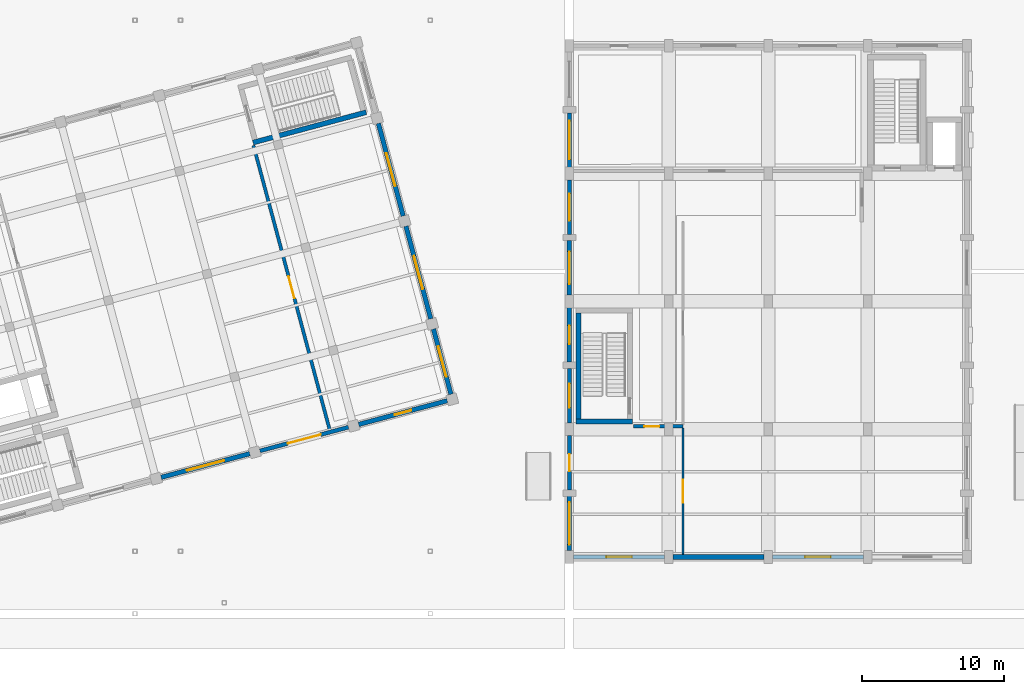
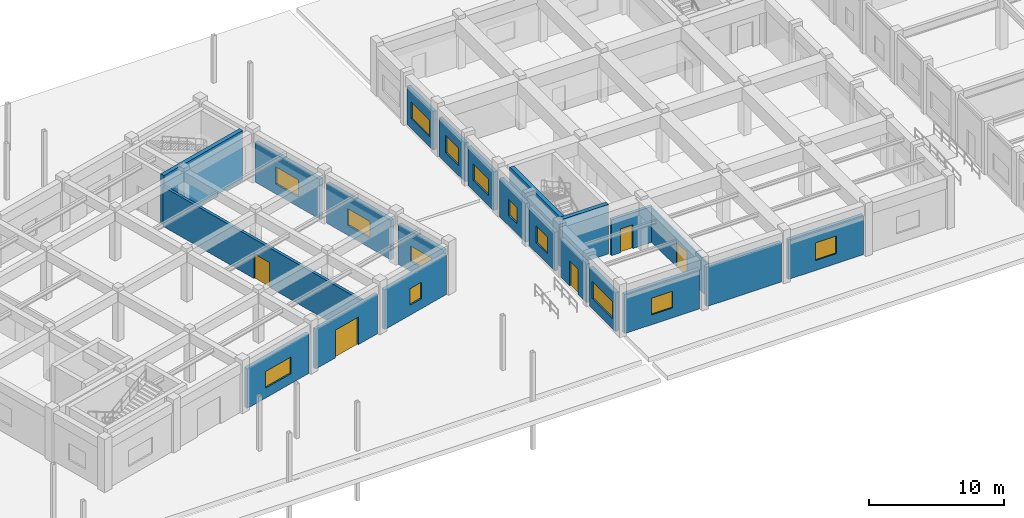
# One storey, part 36 of 47: 22 walls, 13 windows, 5 doors, 18 openings.
"""IFC4 building model written with IfcOpenShell, lengths in metres."""

from ifc_helpers import new_model, si_unit, direction, frame, frame_2d, origin, place, context, subcontext, project, spatial, rectangle, extrude, material, layer, layer_set, type_object, element, fill, save


model = new_model("IFC4")

# Units and contexts
model_context = context("Model", 3, precision=1e-05, world=origin(), true_north=direction((0.0, 1.0)))
body_context = subcontext(model_context, "Body", "Model", "MODEL_VIEW")
ifc_project = project(units=[si_unit("LENGTHUNIT", "METRE"), si_unit("AREAUNIT", "SQUARE_METRE"), si_unit("VOLUMEUNIT", "CUBIC_METRE"), si_unit("PLANEANGLEUNIT", "RADIAN"), si_unit("MASSUNIT", "GRAM", prefix="KILO")], contexts=[model_context])

# Site, building, storey
site_placement = place(None, origin())
site = spatial("IfcSite", under=ifc_project, at=site_placement, CompositionType="ELEMENT")
building_placement = place(site_placement, origin())
building = spatial("IfcBuilding", under=site, at=building_placement, Name="Ventoquebrada Cableway Terminal", CompositionType="ELEMENT")
storey_placement = place(building_placement, origin())
storey = spatial("IfcBuildingStorey", under=building, at=storey_placement, Name="L00", CompositionType="ELEMENT", Elevation=0.0)

# Wall, opening, window
ifc_material_1 = material(Name="Precast architectural concrete C40/50", Category="concrete")
ifc_layer_1 = layer(ifc_material_1, 0.280029296875)
ifc_layer_set_1 = layer_set([ifc_layer_1], Name="Precast architectural concrete C40/50")
wall_type_1 = type_object("IfcWallType", Name="WL-EX1", PredefinedType="SOLIDWALL", material=ifc_layer_set_1)
wall_1_placement = place(storey_placement, frame((95.294921875, 68.0, 0.0), z_axis=(0.0, 0.0, 1.0), x_axis=(1.0, 0.0, 0.0)))
wall_1 = element("IfcWall", 1, at=wall_1_placement, inside=storey, type_object=wall_type_1, Name="Exterior architectural wall EW-0179", PredefinedType="SOLIDWALL", context=body_context, shape_type="SweptSolid", body=[
    extrude(rectangle(XDim=6.41015625, YDim=0.280029296875, at=frame_2d((3.205078125, 0.0))), origin(), (0.0, 0.0, 1.0), 3.574951171875),
])
opening_1_placement = place(wall_1_placement, frame((2.304931640625, 0.0, 0.89990234375)))
opening_1 = element("IfcOpeningElement", 2, at=opening_1_placement, cuts=wall_1, Name="Opening WN-085", PredefinedType="OPENING", context=body_context, shape_type="SweptSolid", body=[
    extrude(rectangle(XDim=1.800048828125, YDim=1.5, at=frame_2d((0.89990234375, 0.75))), frame((0.0, 0.14990234375, 0.0), z_axis=(0.0, -1.0, 0.0), x_axis=(1.0, 0.0, 0.0)), (0.0, 0.0, 1.0), 0.300048828125),
])
ifc_material_2 = material(Name="Double low-e laminated safety glazing", Category="glass")
window_type_1 = type_object("IfcWindowType", Name="WT-05", PartitioningType="SINGLE_PANEL", PredefinedType="WINDOW", material=ifc_material_2)
window_1_placement = place(opening_1_placement, origin())
window_1 = element("IfcWindow", 3, at=window_1_placement, inside=storey, type_object=window_type_1, Name="Architectural punched window WN-085", OverallHeight=1.5, OverallWidth=1.800048828125, PartitioningType="SINGLE_PANEL", PredefinedType="WINDOW", context=body_context, shape_type="SweptSolid", body=[
    extrude(rectangle(XDim=1.800048828125, YDim=1.5, at=frame_2d((0.89990234375, 0.75))), frame((0.0, 0.030029296875, 0.0), z_axis=(0.0, -1.0, 0.0), x_axis=(1.0, 0.0, 0.0)), (0.0, 0.0, 1.0), 0.06005859375),
])
fill(opening_1, window_1)

wall_2_placement = place(storey_placement, frame((109.294921875, 68.0, 0.0), z_axis=(0.0, 0.0, 1.0), x_axis=(1.0, 0.0, 0.0)))
wall_2 = element("IfcWall", 4, at=wall_2_placement, inside=storey, type_object=wall_type_1, Name="Exterior architectural wall EW-0181", PredefinedType="SOLIDWALL", context=body_context, shape_type="SweptSolid", body=[
    extrude(rectangle(XDim=6.41015625, YDim=0.280029296875, at=frame_2d((3.205078125, 0.0))), origin(), (0.0, 0.0, 1.0), 3.574951171875),
])
opening_2_placement = place(wall_2_placement, frame((2.304931640625, 0.0, 0.89990234375)))
opening_2 = element("IfcOpeningElement", 5, at=opening_2_placement, cuts=wall_2, Name="Opening WN-086", PredefinedType="OPENING", context=body_context, shape_type="SweptSolid", body=[
    extrude(rectangle(XDim=1.800048828125, YDim=1.60009765625, at=frame_2d((0.89990234375, 0.800048828125))), frame((0.0, 0.14990234375, 0.0), z_axis=(0.0, -1.0, 0.0), x_axis=(1.0, 0.0, 0.0)), (0.0, 0.0, 1.0), 0.300048828125),
])
window_type_2 = type_object("IfcWindowType", Name="WT-06", PartitioningType="SINGLE_PANEL", PredefinedType="WINDOW", material=ifc_material_2)
window_2_placement = place(opening_2_placement, origin())
window_2 = element("IfcWindow", 6, at=window_2_placement, inside=storey, type_object=window_type_2, Name="Architectural punched window WN-086", OverallHeight=1.60009765625, OverallWidth=1.800048828125, PartitioningType="SINGLE_PANEL", PredefinedType="WINDOW", context=body_context, shape_type="SweptSolid", body=[
    extrude(rectangle(XDim=1.800048828125, YDim=1.60009765625, at=frame_2d((0.89990234375, 0.800048828125))), frame((0.0, 0.030029296875, 0.0), z_axis=(0.0, -1.0, 0.0), x_axis=(1.0, 0.0, 0.0)), (0.0, 0.0, 1.0), 0.06005859375),
])
fill(opening_2, window_2)

# Wall, opening, door
wall_3_placement = place(storey_placement, frame((95.0, 76.554931640625, 0.0), z_axis=(0.0, 0.0, 1.0), x_axis=(0.0, -1.0, 0.0)))
wall_3 = element("IfcWall", 7, at=wall_3_placement, inside=storey, type_object=wall_type_1, Name="Exterior architectural wall EW-0195", PredefinedType="SOLIDWALL", context=body_context, shape_type="SweptSolid", body=[
    extrude(rectangle(XDim=3.8349609375, YDim=0.280029296875, at=frame_2d((1.91748046875, 0.0))), origin(), (0.0, 0.0, 1.0), 3.4951171875),
])
opening_3_placement = place(wall_3_placement, frame((1.318115234375, 0.0, 0.0)))
opening_3 = element("IfcOpeningElement", 8, at=opening_3_placement, cuts=wall_3, Name="Opening D-EX-16", PredefinedType="OPENING", context=body_context, shape_type="SweptSolid", body=[
    extrude(rectangle(XDim=1.199951171875, YDim=2.25, at=frame_2d((0.60009765625, 1.125))), frame((0.0, 0.14990234375, 0.0), z_axis=(0.0, -1.0, 0.0), x_axis=(1.0, 0.0, 0.0)), (0.0, 0.0, 1.0), 0.300048828125),
])
ifc_material_3 = material(Name="Galvanized acoustic steel door assembly", Category="steel")
door_type_1 = type_object("IfcDoorType", Name="DT-EX05", OperationType="SINGLE_SWING_RIGHT", PredefinedType="DOOR", material=ifc_material_3)
door_1_placement = place(opening_3_placement, origin())
door_1 = element("IfcDoor", 9, at=door_1_placement, inside=storey, type_object=door_type_1, Name="Exterior d-ex door D-EX-16", OperationType="SINGLE_SWING_LEFT", OverallHeight=2.25, OverallWidth=1.199951171875, PredefinedType="DOOR", context=body_context, shape_type="SweptSolid", body=[
    extrude(rectangle(XDim=1.199951171875, YDim=2.25, at=frame_2d((0.60009765625, 1.125))), frame((0.0, 0.02490234375, 0.0), z_axis=(0.0, -1.0, 0.0), x_axis=(1.0, 0.0, 0.0)), (0.0, 0.0, 1.0), 0.050048828125),
])
fill(opening_3, door_1)

# Wall, opening, window
wall_4_placement = place(storey_placement, frame((95.0, 81.280029296875, 0.0), z_axis=(0.0, 0.0, 1.0), x_axis=(0.0, -1.0, 0.0)))
wall_4 = element("IfcWall", 10, at=wall_4_placement, inside=storey, type_object=wall_type_1, Name="Exterior architectural wall EW-0198", PredefinedType="SOLIDWALL", context=body_context, shape_type="SweptSolid", body=[
    extrude(rectangle(XDim=3.8349609375, YDim=0.280029296875, at=frame_2d((1.91748046875, 0.0))), origin(), (0.0, 0.0, 1.0), 3.4951171875),
])
opening_4_placement = place(wall_4_placement, frame((1.068115234375, 0.0, 0.89990234375)))
opening_4 = element("IfcOpeningElement", 11, at=opening_4_placement, cuts=wall_4, Name="Opening WN-096", PredefinedType="OPENING", context=body_context, shape_type="SweptSolid", body=[
    extrude(rectangle(XDim=1.699951171875, YDim=1.5, at=frame_2d((0.85009765625, 0.75))), frame((0.0, 0.14990234375, 0.0), z_axis=(0.0, -1.0, 0.0), x_axis=(1.0, 0.0, 0.0)), (0.0, 0.0, 1.0), 0.300048828125),
])
window_type_3 = type_object("IfcWindowType", Name="WT-16", PartitioningType="SINGLE_PANEL", PredefinedType="WINDOW", material=ifc_material_2)
window_3_placement = place(opening_4_placement, origin())
window_3 = element("IfcWindow", 12, at=window_3_placement, inside=storey, type_object=window_type_3, Name="Architectural punched window WN-096", OverallHeight=1.5, OverallWidth=1.699951171875, PartitioningType="SINGLE_PANEL", PredefinedType="WINDOW", context=body_context, shape_type="SweptSolid", body=[
    extrude(rectangle(XDim=1.699951171875, YDim=1.5, at=frame_2d((0.85009765625, 0.75))), frame((0.0, 0.030029296875, 0.0), z_axis=(0.0, -1.0, 0.0), x_axis=(1.0, 0.0, 0.0)), (0.0, 0.0, 1.0), 0.06005859375),
])
fill(opening_4, window_3)

wall_5_placement = place(storey_placement, frame((95.0, 94.554931640625, 0.0), z_axis=(0.0, 0.0, 1.0), x_axis=(0.0, -1.0, 0.0)))
wall_5 = element("IfcWall", 13, at=wall_5_placement, inside=storey, type_object=wall_type_1, Name="Exterior architectural wall EW-0199", PredefinedType="SOLIDWALL", context=body_context, shape_type="SweptSolid", body=[
    extrude(rectangle(XDim=3.8349609375, YDim=0.280029296875, at=frame_2d((1.91748046875, 0.0))), origin(), (0.0, 0.0, 1.0), 3.4951171875),
])
opening_5_placement = place(wall_5_placement, frame((0.968017578125, 0.0, 0.89990234375)))
opening_5 = element("IfcOpeningElement", 14, at=opening_5_placement, cuts=wall_5, Name="Opening WN-097", PredefinedType="OPENING", context=body_context, shape_type="SweptSolid", body=[
    extrude(rectangle(XDim=1.89990234375, YDim=1.550048828125, at=frame_2d((0.949951171875, 0.77490234375))), frame((0.0, 0.14990234375, 0.0), z_axis=(0.0, -1.0, 0.0), x_axis=(1.0, 0.0, 0.0)), (0.0, 0.0, 1.0), 0.300048828125),
])
window_type_4 = type_object("IfcWindowType", Name="WT-17", PartitioningType="SINGLE_PANEL", PredefinedType="WINDOW", material=ifc_material_2)
window_4_placement = place(opening_5_placement, origin())
window_4 = element("IfcWindow", 15, at=window_4_placement, inside=storey, type_object=window_type_4, Name="Architectural punched window WN-097", OverallHeight=1.550048828125, OverallWidth=1.89990234375, PartitioningType="SINGLE_PANEL", PredefinedType="WINDOW", context=body_context, shape_type="SweptSolid", body=[
    extrude(rectangle(XDim=1.89990234375, YDim=1.550048828125, at=frame_2d((0.949951171875, 0.77490234375))), frame((0.0, 0.030029296875, 0.0), z_axis=(0.0, -1.0, 0.0), x_axis=(1.0, 0.0, 0.0)), (0.0, 0.0, 1.0), 0.06005859375),
])
fill(opening_5, window_4)

wall_6_placement = place(storey_placement, frame((95.0, 99.280029296875, 0.0), z_axis=(0.0, 0.0, 1.0), x_axis=(0.0, -1.0, 0.0)))
wall_6 = element("IfcWall", 16, at=wall_6_placement, inside=storey, type_object=wall_type_1, Name="Exterior architectural wall EW-0202", PredefinedType="SOLIDWALL", context=body_context, shape_type="SweptSolid", body=[
    extrude(rectangle(XDim=3.8349609375, YDim=0.280029296875, at=frame_2d((1.91748046875, 0.0))), origin(), (0.0, 0.0, 1.0), 3.4951171875),
])
opening_6_placement = place(wall_6_placement, frame((0.568115234375, 0.0, 0.89990234375)))
opening_6 = element("IfcOpeningElement", 17, at=opening_6_placement, cuts=wall_6, Name="Opening WN-100", PredefinedType="OPENING", context=body_context, shape_type="SweptSolid", body=[
    extrude(rectangle(XDim=2.699951171875, YDim=1.5, at=frame_2d((1.35009765625, 0.75))), frame((0.0, 0.14990234375, 0.0), z_axis=(0.0, -1.0, 0.0), x_axis=(1.0, 0.0, 0.0)), (0.0, 0.0, 1.0), 0.300048828125),
])
window_type_5 = type_object("IfcWindowType", Name="WT-20", PartitioningType="SINGLE_PANEL", PredefinedType="WINDOW", material=ifc_material_2)
window_5_placement = place(opening_6_placement, origin())
window_5 = element("IfcWindow", 18, at=window_5_placement, inside=storey, type_object=window_type_5, Name="Architectural punched window WN-100", OverallHeight=1.5, OverallWidth=2.699951171875, PartitioningType="SINGLE_PANEL", PredefinedType="WINDOW", context=body_context, shape_type="SweptSolid", body=[
    extrude(rectangle(XDim=2.699951171875, YDim=1.5, at=frame_2d((1.35009765625, 0.75))), frame((0.0, 0.030029296875, 0.0), z_axis=(0.0, -1.0, 0.0), x_axis=(1.0, 0.0, 0.0)), (0.0, 0.0, 1.0), 0.06005859375),
])
fill(opening_6, window_5)

# Wall, opening, door
wall_7_placement = place(storey_placement, frame((73.198974609375, 75.470947265625, 0.0), z_axis=(0.0, 0.0, 1.0), x_axis=(0.965969128956, 0.258657383238, 0.0)))
wall_7 = element("IfcWall", 19, at=wall_7_placement, inside=storey, type_object=wall_type_1, Name="Exterior architectural wall EW-0286", PredefinedType="SOLIDWALL", context=body_context, shape_type="SweptSolid", body=[
    extrude(rectangle(XDim=6.4609375, YDim=0.280029296875, at=frame_2d((3.23046875, 0.0))), origin(), (0.0, 0.0, 1.0), 3.594970703125),
])
opening_7_placement = place(wall_7_placement, frame((2.030029296875, 0.0, 0.0)))
opening_7 = element("IfcOpeningElement", 20, at=opening_7_placement, cuts=wall_7, Name="Opening D-EN-22", PredefinedType="OPENING", context=body_context, shape_type="SweptSolid", body=[
    extrude(rectangle(XDim=2.39990234375, YDim=2.5, at=frame_2d((1.199951171875, 1.25))), frame((0.0, 0.14990234375, 0.0), z_axis=(0.0, -1.0, 0.0), x_axis=(1.0, 0.0, 0.0)), (0.0, 0.0, 1.0), 0.300048828125),
])
door_type_2 = type_object("IfcDoorType", Name="DT-EX02", OperationType="DOUBLE_SWING_RIGHT", PredefinedType="DOOR", material=ifc_material_3)
door_2_placement = place(opening_7_placement, origin())
door_2 = element("IfcDoor", 21, at=door_2_placement, inside=storey, type_object=door_type_2, Name="Exterior d-en door D-EN-22", OperationType="DOUBLE_SWING_LEFT", OverallHeight=2.5, OverallWidth=2.39990234375, PredefinedType="DOOR", context=body_context, shape_type="SweptSolid", body=[
    extrude(rectangle(XDim=2.39990234375, YDim=2.5, at=frame_2d((1.199951171875, 1.25))), frame((0.0, 0.02490234375, 0.0), z_axis=(0.0, -1.0, 0.0), x_axis=(1.0, 0.0, 0.0)), (0.0, 0.0, 1.0), 0.050048828125),
])
fill(opening_7, door_2)

# Wall
ifc_layer_2 = layer(ifc_material_1, 0.320068359375)
ifc_layer_set_2 = layer_set([ifc_layer_2], Name="Precast architectural concrete C40/50")
wall_type_2 = type_object("IfcWallType", Name="WL-EX2", PredefinedType="SOLIDWALL", material=ifc_layer_set_2)
wall_8_placement = place(storey_placement, frame((102.294921875, 68.0, 0.0), z_axis=(0.0, 0.0, 1.0), x_axis=(1.0, 0.0, 0.0)))
element("IfcWall", 22, at=wall_8_placement, inside=storey, type_object=wall_type_2, Name="Exterior architectural wall EW-0180", PredefinedType="SOLIDWALL", context=body_context, shape_type="SweptSolid", body=[
    extrude(rectangle(XDim=6.41015625, YDim=0.320068359375, at=frame_2d((3.205078125, 0.0))), origin(), (0.0, 0.0, 1.0), 3.574951171875),
])

# Wall, opening, window
wall_9_placement = place(storey_placement, frame((95.0, 72.280029296875, 0.0), z_axis=(0.0, 0.0, 1.0), x_axis=(0.0, -1.0, 0.0)))
wall_9 = element("IfcWall", 23, at=wall_9_placement, inside=storey, type_object=wall_type_2, Name="Exterior architectural wall EW-0196", PredefinedType="SOLIDWALL", context=body_context, shape_type="SweptSolid", body=[
    extrude(rectangle(XDim=3.8349609375, YDim=0.320068359375, at=frame_2d((1.91748046875, 0.0))), origin(), (0.0, 0.0, 1.0), 3.4951171875),
])
opening_8_placement = place(wall_9_placement, frame((0.41796875, 0.0, 0.89990234375)))
opening_8 = element("IfcOpeningElement", 24, at=opening_8_placement, cuts=wall_9, Name="Opening WN-094", PredefinedType="OPENING", context=body_context, shape_type="SweptSolid", body=[
    extrude(rectangle(XDim=3.0, YDim=1.550048828125, at=frame_2d((1.5, 0.77490234375))), frame((0.0, 0.169921875, 0.0), z_axis=(0.0, -1.0, 0.0), x_axis=(1.0, 0.0, 0.0)), (0.0, 0.0, 1.0), 0.340087890625),
])
window_type_6 = type_object("IfcWindowType", Name="WT-14", PartitioningType="SINGLE_PANEL", PredefinedType="WINDOW", material=ifc_material_2)
window_6_placement = place(opening_8_placement, origin())
window_6 = element("IfcWindow", 25, at=window_6_placement, inside=storey, type_object=window_type_6, Name="Architectural punched window WN-094", OverallHeight=1.550048828125, OverallWidth=3.0, PartitioningType="SINGLE_PANEL", PredefinedType="WINDOW", context=body_context, shape_type="SweptSolid", body=[
    extrude(rectangle(XDim=3.0, YDim=1.550048828125, at=frame_2d((1.5, 0.77490234375))), frame((0.0, 0.030029296875, 0.0), z_axis=(0.0, -1.0, 0.0), x_axis=(1.0, 0.0, 0.0)), (0.0, 0.0, 1.0), 0.06005859375),
])
fill(opening_8, window_6)

wall_10_placement = place(storey_placement, frame((95.0, 85.554931640625, 0.0), z_axis=(0.0, 0.0, 1.0), x_axis=(0.0, -1.0, 0.0)))
wall_10 = element("IfcWall", 26, at=wall_10_placement, inside=storey, type_object=wall_type_2, Name="Exterior architectural wall EW-0197", PredefinedType="SOLIDWALL", context=body_context, shape_type="SweptSolid", body=[
    extrude(rectangle(XDim=3.8349609375, YDim=0.320068359375, at=frame_2d((1.91748046875, 0.0))), origin(), (0.0, 0.0, 1.0), 3.4951171875),
])
opening_9_placement = place(wall_10_placement, frame((1.26806640625, 0.0, 0.89990234375)))
opening_9 = element("IfcOpeningElement", 27, at=opening_9_placement, cuts=wall_10, Name="Opening WN-095", PredefinedType="OPENING", context=body_context, shape_type="SweptSolid", body=[
    extrude(rectangle(XDim=1.300048828125, YDim=1.449951171875, at=frame_2d((0.64990234375, 0.72509765625))), frame((0.0, 0.169921875, 0.0), z_axis=(0.0, -1.0, 0.0), x_axis=(1.0, 0.0, 0.0)), (0.0, 0.0, 1.0), 0.340087890625),
])
window_type_7 = type_object("IfcWindowType", Name="WT-15", PartitioningType="SINGLE_PANEL", PredefinedType="WINDOW", material=ifc_material_2)
window_7_placement = place(opening_9_placement, origin())
window_7 = element("IfcWindow", 28, at=window_7_placement, inside=storey, type_object=window_type_7, Name="Architectural punched window WN-095", OverallHeight=1.449951171875, OverallWidth=1.300048828125, PartitioningType="SINGLE_PANEL", PredefinedType="WINDOW", context=body_context, shape_type="SweptSolid", body=[
    extrude(rectangle(XDim=1.300048828125, YDim=1.449951171875, at=frame_2d((0.64990234375, 0.72509765625))), frame((0.0, 0.030029296875, 0.0), z_axis=(0.0, -1.0, 0.0), x_axis=(1.0, 0.0, 0.0)), (0.0, 0.0, 1.0), 0.06005859375),
])
fill(opening_9, window_7)

wall_11_placement = place(storey_placement, frame((95.0, 90.280029296875, 0.0), z_axis=(0.0, 0.0, 1.0), x_axis=(0.0, -1.0, 0.0)))
wall_11 = element("IfcWall", 29, at=wall_11_placement, inside=storey, type_object=wall_type_2, Name="Exterior architectural wall EW-0200", PredefinedType="SOLIDWALL", context=body_context, shape_type="SweptSolid", body=[
    extrude(rectangle(XDim=3.8349609375, YDim=0.320068359375, at=frame_2d((1.91748046875, 0.0))), origin(), (0.0, 0.0, 1.0), 3.4951171875),
])
opening_10_placement = place(wall_11_placement, frame((0.76806640625, 0.0, 0.89990234375)))
opening_10 = element("IfcOpeningElement", 30, at=opening_10_placement, cuts=wall_11, Name="Opening WN-098", PredefinedType="OPENING", context=body_context, shape_type="SweptSolid", body=[
    extrude(rectangle(XDim=2.300048828125, YDim=1.5, at=frame_2d((1.14990234375, 0.75))), frame((0.0, 0.169921875, 0.0), z_axis=(0.0, -1.0, 0.0), x_axis=(1.0, 0.0, 0.0)), (0.0, 0.0, 1.0), 0.340087890625),
])
window_type_8 = type_object("IfcWindowType", Name="WT-18", PartitioningType="SINGLE_PANEL", PredefinedType="WINDOW", material=ifc_material_2)
window_8_placement = place(opening_10_placement, origin())
window_8 = element("IfcWindow", 31, at=window_8_placement, inside=storey, type_object=window_type_8, Name="Architectural punched window WN-098", OverallHeight=1.5, OverallWidth=2.300048828125, PartitioningType="SINGLE_PANEL", PredefinedType="WINDOW", context=body_context, shape_type="SweptSolid", body=[
    extrude(rectangle(XDim=2.300048828125, YDim=1.5, at=frame_2d((1.14990234375, 0.75))), frame((0.0, 0.030029296875, 0.0), z_axis=(0.0, -1.0, 0.0), x_axis=(1.0, 0.0, 0.0)), (0.0, 0.0, 1.0), 0.06005859375),
])
fill(opening_10, window_8)

wall_12_placement = place(storey_placement, frame((66.243896484375, 73.60693359375, 0.0), z_axis=(0.0, 0.0, 1.0), x_axis=(0.965933884924, 0.258788967996, 0.0)))
wall_12 = element("IfcWall", 32, at=wall_12_placement, inside=storey, type_object=wall_type_2, Name="Exterior architectural wall EW-0285", PredefinedType="SOLIDWALL", context=body_context, shape_type="SweptSolid", body=[
    extrude(rectangle(XDim=6.46142578125, YDim=0.320068359375, at=frame_2d((3.230712890625, 0.0))), origin(), (0.0, 0.0, 1.0), 3.594970703125),
])
opening_11_placement = place(wall_12_placement, frame((1.881103515625, 0.0, 0.89990234375)))
opening_11 = element("IfcOpeningElement", 33, at=opening_11_placement, cuts=wall_12, Name="Opening WN-160", PredefinedType="OPENING", context=body_context, shape_type="SweptSolid", body=[
    extrude(rectangle(XDim=2.699951171875, YDim=1.5, at=frame_2d((1.35009765625, 0.75))), frame((0.0, 0.169921875, 0.0), z_axis=(0.0, -1.0, 0.0), x_axis=(1.0, 0.0, 0.0)), (0.0, 0.0, 1.0), 0.340087890625),
])
window_9_placement = place(opening_11_placement, origin())
window_9 = element("IfcWindow", 34, at=window_9_placement, inside=storey, type_object=window_type_5, Name="Architectural punched window WN-160", OverallHeight=1.5, OverallWidth=2.699951171875, PartitioningType="SINGLE_PANEL", PredefinedType="WINDOW", context=body_context, shape_type="SweptSolid", body=[
    extrude(rectangle(XDim=2.699951171875, YDim=1.5, at=frame_2d((1.35009765625, 0.75))), frame((0.0, 0.030029296875, 0.0), z_axis=(0.0, -1.0, 0.0), x_axis=(1.0, 0.0, 0.0)), (0.0, 0.0, 1.0), 0.06005859375),
])
fill(opening_11, window_9)

wall_13_placement = place(storey_placement, frame((80.154052734375, 77.333984375, 0.0), z_axis=(0.0, 0.0, 1.0), x_axis=(0.96592122885, 0.258836202371, 0.0)))
wall_13 = element("IfcWall", 35, at=wall_13_placement, inside=storey, type_object=wall_type_2, Name="Exterior architectural wall EW-0287", PredefinedType="SOLIDWALL", context=body_context, shape_type="SweptSolid", body=[
    extrude(rectangle(XDim=6.460205078125, YDim=0.320068359375, at=frame_2d((3.22998046875, 0.0))), origin(), (0.0, 0.0, 1.0), 3.594970703125),
])
opening_12_placement = place(wall_13_placement, frame((2.6298828125, 0.0, 0.89990234375)))
opening_12 = element("IfcOpeningElement", 36, at=opening_12_placement, cuts=wall_13, Name="Opening WN-161", PredefinedType="OPENING", context=body_context, shape_type="SweptSolid", body=[
    extrude(rectangle(XDim=1.199951171875, YDim=1.5, at=frame_2d((0.60009765625, 0.75))), frame((0.0, 0.169921875, 0.0), z_axis=(0.0, -1.0, 0.0), x_axis=(1.0, 0.0, 0.0)), (0.0, 0.0, 1.0), 0.340087890625),
])
window_type_9 = type_object("IfcWindowType", Name="WT-01", PartitioningType="SINGLE_PANEL", PredefinedType="WINDOW", material=ifc_material_2)
window_10_placement = place(opening_12_placement, origin())
window_10 = element("IfcWindow", 37, at=window_10_placement, inside=storey, type_object=window_type_9, Name="Architectural punched window WN-161", OverallHeight=1.5, OverallWidth=1.199951171875, PartitioningType="SINGLE_PANEL", PredefinedType="WINDOW", context=body_context, shape_type="SweptSolid", body=[
    extrude(rectangle(XDim=1.199951171875, YDim=1.5, at=frame_2d((0.60009765625, 0.75))), frame((0.0, 0.030029296875, 0.0), z_axis=(0.0, -1.0, 0.0), x_axis=(1.0, 0.0, 0.0)), (0.0, 0.0, 1.0), 0.06005859375),
])
fill(opening_12, window_10)

wall_14_placement = place(storey_placement, frame((86.655029296875, 79.458984375, 0.0), z_axis=(0.0, 0.0, 1.0), x_axis=(-0.258613873776, 0.965980778427, 0.0)))
wall_14 = element("IfcWall", 38, at=wall_14_placement, inside=storey, type_object=wall_type_2, Name="Exterior architectural wall EW-0297", PredefinedType="SOLIDWALL", context=body_context, shape_type="SweptSolid", body=[
    extrude(rectangle(XDim=4.759765625, YDim=0.320068359375, at=frame_2d((2.3798828125, 0.0))), origin(), (0.0, 0.0, 1.0), 3.594970703125),
])
opening_13_placement = place(wall_14_placement, frame((1.280029296875, 0.0, 0.89990234375)))
opening_13 = element("IfcOpeningElement", 39, at=opening_13_placement, cuts=wall_14, Name="Opening WN-169", PredefinedType="OPENING", context=body_context, shape_type="SweptSolid", body=[
    extrude(rectangle(XDim=2.199951171875, YDim=1.39990234375, at=frame_2d((1.10009765625, 0.699951171875))), frame((0.0, 0.169921875, 0.0), z_axis=(0.0, -1.0, 0.0), x_axis=(1.0, 0.0, 0.0)), (0.0, 0.0, 1.0), 0.340087890625),
])
window_type_10 = type_object("IfcWindowType", Name="WT-09", PartitioningType="SINGLE_PANEL", PredefinedType="WINDOW", material=ifc_material_2)
window_11_placement = place(opening_13_placement, origin())
window_11 = element("IfcWindow", 40, at=window_11_placement, inside=storey, type_object=window_type_10, Name="Architectural punched window WN-169", OverallHeight=1.39990234375, OverallWidth=2.199951171875, PartitioningType="SINGLE_PANEL", PredefinedType="WINDOW", context=body_context, shape_type="SweptSolid", body=[
    extrude(rectangle(XDim=2.199951171875, YDim=1.39990234375, at=frame_2d((1.10009765625, 0.699951171875))), frame((0.0, 0.030029296875, 0.0), z_axis=(0.0, -1.0, 0.0), x_axis=(1.0, 0.0, 0.0)), (0.0, 0.0, 1.0), 0.06005859375),
])
fill(opening_13, window_11)

wall_15_placement = place(storey_placement, frame((85.23193359375, 84.77099609375, 0.0), z_axis=(0.0, 0.0, 1.0), x_axis=(-0.258687351782, 0.965961103786, 0.0)))
wall_15 = element("IfcWall", 41, at=wall_15_placement, inside=storey, type_object=wall_type_2, Name="Exterior architectural wall EW-0298", PredefinedType="SOLIDWALL", context=body_context, shape_type="SweptSolid", body=[
    extrude(rectangle(XDim=6.76123046875, YDim=0.320068359375, at=frame_2d((3.380615234375, 0.0))), origin(), (0.0, 0.0, 1.0), 3.594970703125),
])
opening_14_placement = place(wall_15_placement, frame((2.180908203125, 0.0, 0.89990234375)))
opening_14 = element("IfcOpeningElement", 42, at=opening_14_placement, cuts=wall_15, Name="Opening WN-170", PredefinedType="OPENING", context=body_context, shape_type="SweptSolid", body=[
    extrude(rectangle(XDim=2.39990234375, YDim=1.5, at=frame_2d((1.199951171875, 0.75))), frame((0.0, 0.169921875, 0.0), z_axis=(0.0, -1.0, 0.0), x_axis=(1.0, 0.0, 0.0)), (0.0, 0.0, 1.0), 0.340087890625),
])
window_type_11 = type_object("IfcWindowType", Name="WT-10", PartitioningType="SINGLE_PANEL", PredefinedType="WINDOW", material=ifc_material_2)
window_12_placement = place(opening_14_placement, origin())
window_12 = element("IfcWindow", 43, at=window_12_placement, inside=storey, type_object=window_type_11, Name="Architectural punched window WN-170", OverallHeight=1.5, OverallWidth=2.39990234375, PartitioningType="SINGLE_PANEL", PredefinedType="WINDOW", context=body_context, shape_type="SweptSolid", body=[
    extrude(rectangle(XDim=2.39990234375, YDim=1.5, at=frame_2d((1.199951171875, 0.75))), frame((0.0, 0.030029296875, 0.0), z_axis=(0.0, -1.0, 0.0), x_axis=(1.0, 0.0, 0.0)), (0.0, 0.0, 1.0), 0.06005859375),
])
fill(opening_14, window_12)

wall_16_placement = place(storey_placement, frame((83.291015625, 92.01611328125, 0.0), z_axis=(0.0, 0.0, 1.0), x_axis=(-0.258732474732, 0.965949018592, 0.0)))
wall_16 = element("IfcWall", 44, at=wall_16_placement, inside=storey, type_object=wall_type_2, Name="Exterior architectural wall EW-0299", PredefinedType="SOLIDWALL", context=body_context, shape_type="SweptSolid", body=[
    extrude(rectangle(XDim=6.760009765625, YDim=0.320068359375, at=frame_2d((3.3798828125, 0.0))), origin(), (0.0, 0.0, 1.0), 3.594970703125),
])
opening_15_placement = place(wall_16_placement, frame((2.179931640625, 0.0, 0.89990234375)))
opening_15 = element("IfcOpeningElement", 45, at=opening_15_placement, cuts=wall_16, Name="Opening WN-171", PredefinedType="OPENING", context=body_context, shape_type="SweptSolid", body=[
    extrude(rectangle(XDim=2.39990234375, YDim=1.550048828125, at=frame_2d((1.199951171875, 0.77490234375))), frame((0.0, 0.169921875, 0.0), z_axis=(0.0, -1.0, 0.0), x_axis=(1.0, 0.0, 0.0)), (0.0, 0.0, 1.0), 0.340087890625),
])
window_type_12 = type_object("IfcWindowType", Name="WT-11", PartitioningType="SINGLE_PANEL", PredefinedType="WINDOW", material=ifc_material_2)
window_13_placement = place(opening_15_placement, origin())
window_13 = element("IfcWindow", 46, at=window_13_placement, inside=storey, type_object=window_type_12, Name="Architectural punched window WN-171", OverallHeight=1.550048828125, OverallWidth=2.39990234375, PartitioningType="SINGLE_PANEL", PredefinedType="WINDOW", context=body_context, shape_type="SweptSolid", body=[
    extrude(rectangle(XDim=2.39990234375, YDim=1.550048828125, at=frame_2d((1.199951171875, 0.77490234375))), frame((0.0, 0.030029296875, 0.0), z_axis=(0.0, -1.0, 0.0), x_axis=(1.0, 0.0, 0.0)), (0.0, 0.0, 1.0), 0.06005859375),
])
fill(opening_15, window_13)

# Wall, opening, door
ifc_material_4 = material(Name="Autoclaved aerated concrete blockwork", Category="masonry")
ifc_layer_3 = layer(ifc_material_4, 0.22998046875)
ifc_layer_set_3 = layer_set([ifc_layer_3], Name="Autoclaved aerated concrete blockwork")
wall_type_3 = type_object("IfcWallType", Name="WL-PT5", PredefinedType="PARTITIONING", material=ifc_layer_set_3)
wall_17_placement = place(storey_placement, frame((78.10302734375, 76.990966796875, 0.0), z_axis=(0.0, 0.0, 1.0), x_axis=(-0.258829621363, 0.965922992327, 0.0)))
wall_17 = element("IfcWall", 47, at=wall_17_placement, inside=storey, type_object=wall_type_3, Name="Interior partition IW-0335", PredefinedType="PARTITIONING", context=body_context, shape_type="SweptSolid", body=[
    extrude(rectangle(XDim=20.700439453125, YDim=0.22998046875, at=frame_2d((10.35009765625, 0.0))), origin(), (0.0, 0.0, 1.0), 3.5849609375),
])
opening_16_placement = place(wall_17_placement, frame((9.550048828125, 0.0, 0.0)))
opening_16 = element("IfcOpeningElement", 48, at=opening_16_placement, cuts=wall_17, Name="Opening D-074", PredefinedType="OPENING", context=body_context, shape_type="SweptSolid", body=[
    extrude(rectangle(XDim=1.60009765625, YDim=2.25, at=frame_2d((0.800048828125, 1.125))), frame((0.0, 0.125, 0.0), z_axis=(0.0, -1.0, 0.0), x_axis=(1.0, 0.0, 0.0)), (0.0, 0.0, 1.0), 0.25),
])
ifc_material_5 = material(Name="Galvanized fire-rated steel door assembly", Category="steel")
door_type_3 = type_object("IfcDoorType", Name="DT-IN07", OperationType="DOUBLE_SWING_LEFT", PredefinedType="DOOR", material=ifc_material_5)
door_3_placement = place(opening_16_placement, origin())
door_3 = element("IfcDoor", 49, at=door_3_placement, inside=storey, type_object=door_type_3, Name="Oversize Ski Check Door D-074", OperationType="DOUBLE_SWING_LEFT", OverallHeight=2.25, OverallWidth=1.60009765625, PredefinedType="DOOR", context=body_context, shape_type="SweptSolid", body=[
    extrude(rectangle(XDim=1.60009765625, YDim=2.25, at=frame_2d((0.800048828125, 1.125))), frame((0.0, 0.02490234375, 0.0), z_axis=(0.0, -1.0, 0.0), x_axis=(1.0, 0.0, 0.0)), (0.0, 0.0, 1.0), 0.050048828125),
])
fill(opening_16, door_3)

ifc_layer_4 = layer(ifc_material_4, 0.260009765625)
ifc_layer_set_4 = layer_set([ifc_layer_4], Name="Autoclaved aerated concrete blockwork")
wall_type_4 = type_object("IfcWallType", Name="WL-PT6", PredefinedType="PARTITIONING", material=ifc_layer_set_4)
wall_18_placement = place(storey_placement, frame((99.5, 77.199951171875, 0.0), z_axis=(0.0, 0.0, 1.0), x_axis=(1.0, 0.0, 0.0)))
wall_18 = element("IfcWall", 50, at=wall_18_placement, inside=storey, type_object=wall_type_4, Name="Interior partition IW-0336", PredefinedType="PARTITIONING", context=body_context, shape_type="SweptSolid", body=[
    extrude(rectangle(XDim=3.5, YDim=0.260009765625, at=frame_2d((1.75, 0.0))), origin(), (0.0, 0.0, 1.0), 3.235107421875),
])
opening_17_placement = place(wall_18_placement, frame((0.77490234375, 0.0, 0.0)))
opening_17 = element("IfcOpeningElement", 51, at=opening_17_placement, cuts=wall_18, Name="Opening D-075", PredefinedType="OPENING", context=body_context, shape_type="SweptSolid", body=[
    extrude(rectangle(XDim=1.050048828125, YDim=2.14990234375, at=frame_2d((0.52490234375, 1.074951171875))), frame((0.0, 0.139892578125, 0.0), z_axis=(0.0, -1.0, 0.0), x_axis=(1.0, 0.0, 0.0)), (0.0, 0.0, 1.0), 0.280029296875),
])
ifc_material_6 = material(Name="Fire-retardant oak acoustic door leaf")
door_type_4 = type_object("IfcDoorType", Name="DT-IN03", OperationType="SINGLE_SWING_LEFT", PredefinedType="DOOR", material=ifc_material_6)
door_4_placement = place(opening_17_placement, origin())
door_4 = element("IfcDoor", 52, at=door_4_placement, inside=storey, type_object=door_type_4, Name="Crew Locker Shower Door D-075", OperationType="SINGLE_SWING_RIGHT", OverallHeight=2.14990234375, OverallWidth=1.050048828125, PredefinedType="DOOR", context=body_context, shape_type="SweptSolid", body=[
    extrude(rectangle(XDim=1.050048828125, YDim=2.14990234375, at=frame_2d((0.52490234375, 1.074951171875))), frame((0.0, 0.02490234375, 0.0), z_axis=(0.0, -1.0, 0.0), x_axis=(1.0, 0.0, 0.0)), (0.0, 0.0, 1.0), 0.050048828125),
])
fill(opening_17, door_4)

ifc_material_7 = material(Name="Fire-rated gypsum partition board on steel framing", Category="steel")
ifc_layer_5 = layer(ifc_material_7, 0.135009765625)
ifc_layer_set_5 = layer_set([ifc_layer_5], Name="Fire-rated gypsum partition board on steel framing")
wall_type_5 = type_object("IfcWallType", Name="WL-PT7", PredefinedType="PARTITIONING", material=ifc_layer_set_5)
wall_19_placement = place(storey_placement, frame((103.0, 68.199951171875, 0.0), z_axis=(0.0, 0.0, 1.0), x_axis=(0.0, 1.0, 0.0)))
wall_19 = element("IfcWall", 53, at=wall_19_placement, inside=storey, type_object=wall_type_5, Name="Interior partition IW-0338", PredefinedType="PARTITIONING", context=body_context, shape_type="SweptSolid", body=[
    extrude(rectangle(XDim=8.8720703125, YDim=0.135009765625, at=frame_2d((4.43603515625, 0.0))), origin(), (0.0, 0.0, 1.0), 3.0849609375),
])
opening_18_placement = place(wall_19_placement, frame((3.635986328125, 0.0, 0.0)))
opening_18 = element("IfcOpeningElement", 54, at=opening_18_placement, cuts=wall_19, Name="Opening D-077", PredefinedType="OPENING", context=body_context, shape_type="SweptSolid", body=[
    extrude(rectangle(XDim=1.60009765625, YDim=2.25, at=frame_2d((0.800048828125, 1.125))), frame((0.0, 0.077392578125, 0.0), z_axis=(0.0, -1.0, 0.0), x_axis=(1.0, 0.0, 0.0)), (0.0, 0.0, 1.0), 0.155029296875),
])
door_5_placement = place(opening_18_placement, origin())
door_5 = element("IfcDoor", 55, at=door_5_placement, inside=storey, type_object=door_type_3, Name="Auxiliary Drive Bay Door D-077", OperationType="DOUBLE_SWING_RIGHT", OverallHeight=2.25, OverallWidth=1.60009765625, PredefinedType="DOOR", context=body_context, shape_type="SweptSolid", body=[
    extrude(rectangle(XDim=1.60009765625, YDim=2.25, at=frame_2d((0.800048828125, 1.125))), frame((0.0, 0.02490234375, 0.0), z_axis=(0.0, -1.0, 0.0), x_axis=(1.0, 0.0, 0.0)), (0.0, 0.0, 1.0), 0.050048828125),
])
fill(opening_18, door_5)

# Walls
ifc_material_8 = material(Name="Concrete C40/50", Category="concrete")
ifc_layer_6 = layer(ifc_material_8, 0.35009765625)
ifc_layer_set_6 = layer_set([ifc_layer_6], Name="Concrete C40/50")
wall_type_6 = type_object("IfcWallType", Name="WL-SH1", PredefinedType="SHEAR", material=ifc_layer_set_6)
wall_20_placement = place(storey_placement, frame((95.47509765625, 77.550048828125, 0.0), z_axis=(0.0, 0.0, 1.0), x_axis=(1.0, 0.0, 0.0)))
element("IfcWall", 56, at=wall_20_placement, inside=storey, type_object=wall_type_6, Name="Core shear wall IW-0233", PredefinedType="SHEAR", context=body_context, shape_type="SweptSolid", body=[
    extrude(rectangle(XDim=3.949951171875, YDim=0.35009765625, at=frame_2d((1.97509765625, 0.0))), origin(), (0.0, 0.0, 1.0), 4.489990234375),
])
wall_21_placement = place(storey_placement, frame((95.64990234375, 85.175048828125, 0.0), z_axis=(0.0, 0.0, 1.0), x_axis=(0.0, -1.0, 0.0)))
element("IfcWall", 57, at=wall_21_placement, inside=storey, type_object=wall_type_6, Name="Core shear wall IW-0236", PredefinedType="SHEAR", context=body_context, shape_type="SweptSolid", body=[
    extrude(rectangle(XDim=7.449951171875, YDim=0.35009765625, at=frame_2d((3.72509765625, 0.0))), origin(), (0.0, 0.0, 1.0), 4.489990234375),
])
wall_22_placement = place(storey_placement, frame((72.718017578125, 97.18603515625, 0.0), z_axis=(0.0, 0.0, 1.0), x_axis=(0.965926253902, 0.258817449225, 0.0)))
element("IfcWall", 58, at=wall_22_placement, inside=storey, type_object=wall_type_6, Name="Core shear wall IW-0281", PredefinedType="SHEAR", context=body_context, shape_type="SweptSolid", body=[
    extrude(rectangle(XDim=8.2490234375, YDim=0.35009765625, at=frame_2d((4.12451171875, 0.0))), origin(), (0.0, 0.0, 1.0), 4.489990234375),
])

save(model, "model.ifc")
